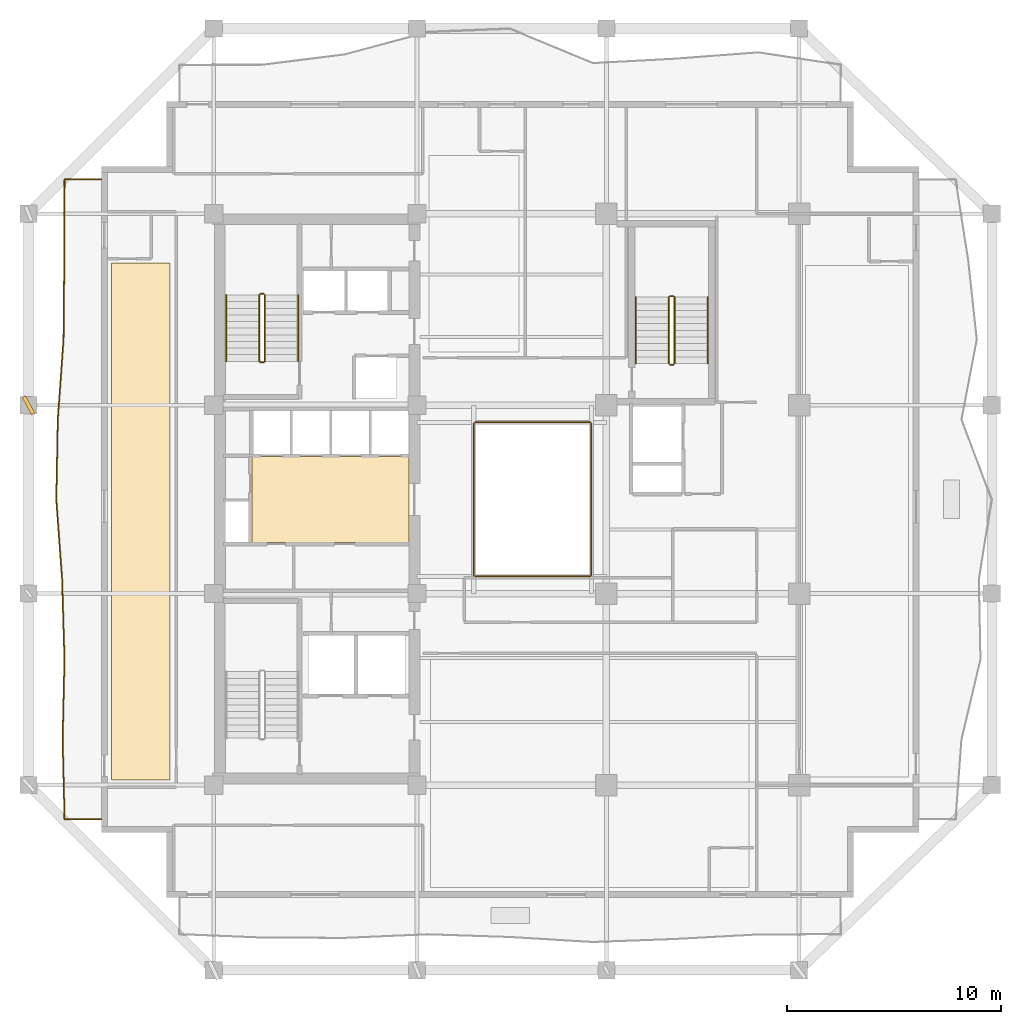
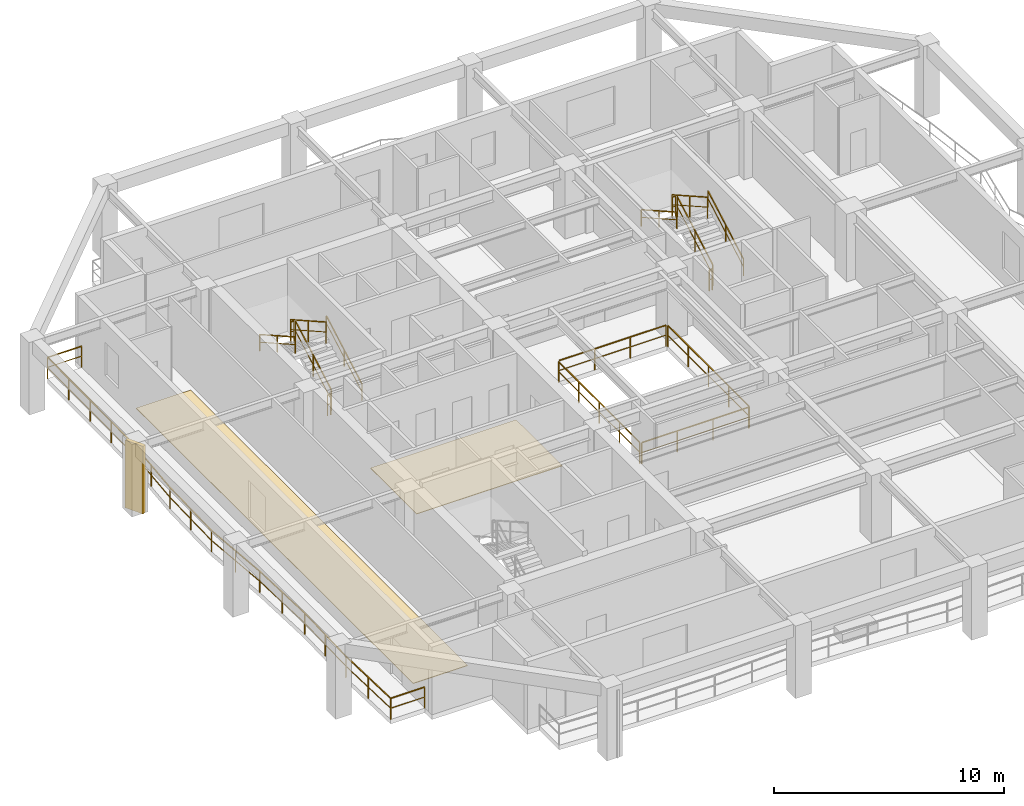
# One storey, part 8 of 10: 17 railings, 2 coverings, 1 shading device.
"""IFC4 building model written with IfcOpenShell, lengths in metres."""

import ifcopenshell
import ifcopenshell.guid

model = None  # the IFC model being written
_history = None  # IfcOwnerHistory: only IFC2X3 demands one
_inside = {}  # id of a spatial element -> (the spatial element, [elements in it])
_under = {}  # id of a project, library or spatial element -> (it, [spatial elements below it])
_declared = {}  # id of a project -> (the project, [libraries it declares])
_typed = {}  # id of a type object -> (the type object, [elements of that type])
_made_of = {}  # id of a material, layer set ... -> (it, [elements and type objects made of it])


def new_model(schema):
    """Start an empty IFC model of exactly this schema.

    Asked for "IFC4X3", IfcOpenShell would pick the latest addendum, in which some entities
    have other attributes; the version numbers below select the first issue.
    IFC2X3 requires an IfcOwnerHistory on every rooted entity: one is made here for all.
    """
    global model, _history
    if schema == "IFC4X3":
        model = ifcopenshell.file(schema_version=(4, 3, 0, 0))
    else:
        model = ifcopenshell.file(schema=schema)
    _inside.clear()
    _under.clear()
    _declared.clear()
    _typed.clear()
    _made_of.clear()
    _history = None
    if model.schema == "IFC2X3":
        org = make("IfcOrganization", Name="unknown")
        user = make(
            "IfcPersonAndOrganization",
            ThePerson=make("IfcPerson", FamilyName="unknown"),
            TheOrganization=org,
        )
        app = make(
            "IfcApplication",
            ApplicationDeveloper=org,
            Version="unknown",
            ApplicationFullName="unknown",
            ApplicationIdentifier="unknown",
        )
        _history = make(
            "IfcOwnerHistory",
            OwningUser=user,
            OwningApplication=app,
            ChangeAction="ADDED",
            CreationDate=0,
        )
    return model


def make(cls, **values):
    """One entity of the class cls with the attributes given. An attribute that is None is left unset."""
    return model.create_entity(
        cls, **{name: value for name, value in values.items() if value is not None}
    )


def rooted(cls, **values):
    """An entity with a GlobalId (a new one), such as an element, a storey or a relation."""
    return make(cls, GlobalId=ifcopenshell.guid.new(), OwnerHistory=_history, **values)


def si_unit(unit_type, name, prefix=None):
    """IfcSIUnit, for example si_unit("LENGTHUNIT", "METRE", prefix="MILLI")."""
    return make("IfcSIUnit", UnitType=unit_type, Prefix=prefix, Name=name)


def assignment(units):
    """IfcUnitAssignment: the units of a project."""
    return None if units is None else make("IfcUnitAssignment", Units=units)


def point(xyz):
    """IfcCartesianPoint."""
    return None if xyz is None else make("IfcCartesianPoint", Coordinates=xyz)


def direction(xyz):
    """IfcDirection."""
    return None if xyz is None else make("IfcDirection", DirectionRatios=xyz)


def frame(location, z_axis=None, x_axis=None):
    """IfcAxis2Placement3D, a coordinate frame: its origin and axes. An axis left out is left unset."""
    return make(
        "IfcAxis2Placement3D",
        Location=point(location),
        Axis=direction(z_axis),
        RefDirection=direction(x_axis),
    )


def frame_2d(location, x_axis=None):
    """IfcAxis2Placement2D, a coordinate frame in the plane: its origin and x axis."""
    return make(
        "IfcAxis2Placement2D", Location=point(location), RefDirection=direction(x_axis)
    )


def origin():
    """The frame at (0, 0, 0) with its axes left unset."""
    return frame((0.0, 0.0, 0.0))


def origin_2d():
    """The frame at (0, 0) in the plane with its x axis left unset."""
    return frame_2d((0.0, 0.0))


def place(relative_to, where):
    """IfcLocalPlacement: puts the frame where relative to a parent placement (None: the world)."""
    return make(
        "IfcLocalPlacement", PlacementRelTo=relative_to, RelativePlacement=where
    )


def context(
    kind, dimensions, precision=None, world=None, true_north=None, identifier=None
):
    """IfcGeometricRepresentationContext, for example the 3D "Model" context."""
    return make(
        "IfcGeometricRepresentationContext",
        ContextIdentifier=identifier,
        ContextType=kind,
        CoordinateSpaceDimension=dimensions,
        Precision=precision,
        WorldCoordinateSystem=world,
        TrueNorth=true_north,
    )


def subcontext(parent, identifier, kind, view, scale=None):
    """IfcGeometricRepresentationSubContext, for example "Body" below "Model"."""
    return make(
        "IfcGeometricRepresentationSubContext",
        ContextIdentifier=identifier,
        ContextType=kind,
        ParentContext=parent,
        TargetScale=scale,
        TargetView=view,
    )


def project(units=None, contexts=None):
    """IfcProject with its units and contexts."""
    return rooted(
        "IfcProject",
        Name="project",
        RepresentationContexts=contexts,
        UnitsInContext=assignment(units),
    )


def spatial(cls, under=None, at=None, **own):
    """A site, building, storey or space (cls), placed at a placement, below another one or the project."""
    s = rooted(cls, ObjectPlacement=at, **own)
    if under is not None:
        _under.setdefault(under.id(), (under, []))[1].append(s)
    return s


def polyline(points):
    """IfcPolyline through the points."""
    return make("IfcPolyline", Points=[point(p) for p in points])


def profile(cls, at=None, kind="AREA", **sizes):
    """A parametric profile (cls). Its sizes go by their IFC names, for example OverallWidth=200.0."""
    return make(cls, ProfileType=kind, Position=at, **sizes)


def rectangle(**sizes):
    """IfcRectangleProfileDef."""
    return profile("IfcRectangleProfileDef", **sizes)


def outline(outer, holes=None, kind="AREA"):
    """IfcArbitraryClosedProfileDef: a profile drawn as a closed curve; with holes, ...WithVoids."""
    if holes is None:
        return make("IfcArbitraryClosedProfileDef", ProfileType=kind, OuterCurve=outer)
    return make(
        "IfcArbitraryProfileDefWithVoids",
        ProfileType=kind,
        OuterCurve=outer,
        InnerCurves=holes,
    )


def extrude(swept, where, along, depth):
    """IfcExtrudedAreaSolid: the profile swept, set in the frame where, extruded along a direction by depth."""
    return make(
        "IfcExtrudedAreaSolid",
        SweptArea=swept,
        Position=where,
        ExtrudedDirection=direction(along),
        Depth=depth,
    )


def shape(context_of_items, identifier, shape_type, items):
    """IfcShapeRepresentation: the items that make up one representation, for example the "Body"."""
    return make(
        "IfcShapeRepresentation",
        ContextOfItems=context_of_items,
        RepresentationIdentifier=identifier,
        RepresentationType=shape_type,
        Items=items,
    )


def material(Name=None, Category=None):
    """IfcMaterial."""
    return make("IfcMaterial", Name=Name, Category=Category)


def layer(
    of_material, thickness, ventilated=None, Name=None, Category=None, Priority=None
):
    """IfcMaterialLayer: one layer of a wall or slab, of a material (None: an air gap)."""
    return make(
        "IfcMaterialLayer",
        Material=of_material,
        LayerThickness=thickness,
        IsVentilated=ventilated,
        Name=Name,
        Category=Category,
        Priority=Priority,
    )


def layer_set(layers, Name=None):
    """IfcMaterialLayerSet."""
    return make("IfcMaterialLayerSet", MaterialLayers=layers, LayerSetName=Name)


def made_of(thing, what):
    """Note that an element or type object is made of a material, layer set ...; save() writes the relation."""
    if what is not None:
        _made_of.setdefault(what.id(), (what, []))[1].append(thing)
    return thing


def type_object(cls, material=None, **own):
    """A type object (cls), such as IfcWallType, which elements share."""
    return made_of(rooted(cls, **own), material)


def element(
    cls,
    number,
    at=None,
    inside=None,
    cuts=None,
    type_object=None,
    material=None,
    context=None,
    identifier="Body",
    shape_type=None,
    held_by="IfcProductDefinitionShape",
    body=None,
    shapes=None,
    **own,
):
    """One element of the class cls, such as IfcWall. Its Tag is "e" and its number.

    at: its placement. inside: the storey or other place that contains it. cuts: it is an
    opening in that element (IfcRelVoidsElement). A single representation is given by context,
    identifier, shape_type and body (its items); several are given by shapes. held_by: the class
    of the entity that holds the representations. save() writes the other relations.
    """
    e = rooted(cls, Tag="e%d" % number, ObjectPlacement=at, **own)
    if body is not None:
        shapes = [shape(context, identifier, shape_type, body)]
    if shapes is not None:
        e.Representation = make(held_by, Representations=shapes)
    if inside is not None:
        _inside.setdefault(inside.id(), (inside, []))[1].append(e)
    if cuts is not None:
        rooted(
            "IfcRelVoidsElement", RelatingBuildingElement=cuts, RelatedOpeningElement=e
        )
    if type_object is not None:
        _typed.setdefault(type_object.id(), (type_object, []))[1].append(e)
    return made_of(e, material)


def aggregate(whole, parts):
    """IfcRelAggregates: a whole, such as a stair, and the parts it consists of."""
    return rooted("IfcRelAggregates", RelatingObject=whole, RelatedObjects=parts)


def save(model, path):
    """Write the relations noted so far, then the file.

    IfcRelAggregates (storeys below a building ...), IfcRelContainedInSpatialStructure (elements
    in a storey), IfcRelDefinesByType, IfcRelAssociatesMaterial and IfcRelDeclares: one each for
    every whole, place, type object, material and project.
    """
    for whole, parts in _under.values():
        aggregate(whole, parts)
    for where, things in _inside.values():
        rooted(
            "IfcRelContainedInSpatialStructure",
            RelatedElements=things,
            RelatingStructure=where,
        )
    for kind, things in _typed.values():
        rooted("IfcRelDefinesByType", RelatedObjects=things, RelatingType=kind)
    for what, things in _made_of.values():
        rooted("IfcRelAssociatesMaterial", RelatedObjects=things, RelatingMaterial=what)
    for by, libraries in _declared.values():
        rooted("IfcRelDeclares", RelatingContext=by, RelatedDefinitions=libraries)
    model.write(path)


model = new_model("IFC4")

# Units and contexts
model_context = context("Model", 3, precision=1e-05, world=origin(), true_north=direction((0.0, 1.0)))
body_context = subcontext(model_context, "Body", "Model", "MODEL_VIEW")
ifc_project = project(units=[si_unit("LENGTHUNIT", "METRE"), si_unit("AREAUNIT", "SQUARE_METRE"), si_unit("VOLUMEUNIT", "CUBIC_METRE"), si_unit("PLANEANGLEUNIT", "RADIAN"), si_unit("MASSUNIT", "GRAM", prefix="KILO")], contexts=[model_context])

# Site, building, storey
site_placement = place(None, origin())
site = spatial("IfcSite", under=ifc_project, at=site_placement, CompositionType="ELEMENT")
building_placement = place(site_placement, origin())
building = spatial("IfcBuilding", under=site, at=building_placement, Name="Kundavana Baori Tower", CompositionType="ELEMENT")
storey_placement = place(building_placement, frame((0.0, 0.0, 111.699951171875)))
storey = spatial("IfcBuildingStorey", under=building, at=storey_placement, Name="L26", CompositionType="ELEMENT", Elevation=111.699951171875)

# Coverings
ifc_material_1 = material(Name="Honed Kota Stone and Terrazzo Flooring", Category="masonry")
ifc_layer = layer(ifc_material_1, 0.030029296875, Name="COV-INT-FLR")
ifc_layer_set = layer_set([ifc_layer], Name="Honed Kota Stone and Terrazzo Flooring")
covering_type = type_object("IfcCoveringType", Name="COV-INT-FLR", PredefinedType="FLOORING", material=ifc_layer_set)
covering_1_placement = place(storey_placement, origin())
element("IfcCovering", 1, at=covering_1_placement, inside=storey, type_object=covering_type, Name="L26 Room Finished Stone Flooring 1", PredefinedType="FLOORING", context=body_context, shape_type="SweptSolid", body=[
    extrude(outline(polyline([(10.679931640625, 15.5), (13.419921875, 15.5), (13.419921875, 39.64990234375), (10.679931640625, 39.64990234375), (10.679931640625, 15.5)])), origin(), (0.0, 0.0, 1.0), 0.030029296875),
])
covering_2_placement = place(storey_placement, origin())
element("IfcCovering", 2, at=covering_2_placement, inside=storey, type_object=covering_type, Name="L26 Core Lift Lobby Kota Stone Flooring", PredefinedType="FLOORING", context=body_context, shape_type="SweptSolid", body=[
    extrude(outline(polyline([(17.25, 26.580078125), (24.580078125, 26.580078125), (24.580078125, 30.60009765625), (17.25, 30.60009765625), (17.25, 26.580078125)])), origin(), (0.0, 0.0, 1.0), 0.030029296875),
])

# Railings
ifc_material_2 = material(Name="Architectural Patinated Bronze Metalwork")
railing_type_1 = type_object("IfcRailingType", Name="RL-BAL-1150", PredefinedType="BALUSTRADE", material=ifc_material_2)
railing_1_placement = place(storey_placement, frame((10.199951171875, 13.64990234375, 0.0)))
element("IfcRailing", 3, at=railing_1_placement, inside=storey, type_object=railing_type_1, Name="L26 Loggia Balcony Balustrade W", PredefinedType="BALUSTRADE", context=body_context, shape_type="SweptSolid", body=[
    extrude(rectangle(XDim=0.048095703125, YDim=0.048095703125, at=origin_2d()), frame((0.0, 0.0, 1.1259765625), z_axis=(-1.0, 0.0, 0.0), x_axis=(0.0, -1.0, 0.0)), (0.0, 0.0, 1.0), 1.719970703125),
    extrude(rectangle(XDim=0.03125, YDim=0.03125, at=origin_2d()), frame((0.0, 0.0, 0.597900390625), z_axis=(-1.0, 0.0, 0.0), x_axis=(0.0, -1.0, 0.0)), (0.0, 0.0, 1.0), 1.719970703125),
    extrude(rectangle(XDim=0.048095703125, YDim=0.048095703125, at=origin_2d()), frame((-1.719970703125, 0.0, 1.1259765625), z_axis=(-0.024360704663, 0.999703233999, 0.0), x_axis=(-0.999703233999, -0.024360704663, 0.0)), (0.0, 0.0, 1.0), 3.73828125),
    extrude(rectangle(XDim=0.03125, YDim=0.03125, at=origin_2d()), frame((-1.719970703125, 0.0, 0.597900390625), z_axis=(-0.024360704663, 0.999703233999, 0.0), x_axis=(-0.999703233999, -0.024360704663, 0.0)), (0.0, 0.0, 1.0), 3.73828125),
    extrude(rectangle(XDim=0.048095703125, YDim=0.048095703125, at=origin_2d()), frame((-1.81103515625, 3.737060546875, 1.1259765625), z_axis=(0.022788150377, 0.999740316383, 0.0), x_axis=(-0.999740316383, 0.022788150377, 0.0)), (0.0, 0.0, 1.0), 3.739013671875),
    extrude(rectangle(XDim=0.03125, YDim=0.03125, at=origin_2d()), frame((-1.81103515625, 3.737060546875, 0.597900390625), z_axis=(0.022788150377, 0.999740316383, 0.0), x_axis=(-0.999740316383, 0.022788150377, 0.0)), (0.0, 0.0, 1.0), 3.739013671875),
    extrude(rectangle(XDim=0.048095703125, YDim=0.048095703125, at=origin_2d()), frame((-1.725830078125, 7.47509765625, 1.1259765625), z_axis=(-0.029189882173, 0.999573884602, 0.0), x_axis=(-0.999573884602, -0.029189882173, 0.0)), (0.0, 0.0, 1.0), 3.73876953125),
    extrude(rectangle(XDim=0.03125, YDim=0.03125, at=origin_2d()), frame((-1.725830078125, 7.47509765625, 0.597900390625), z_axis=(-0.029189882173, 0.999573884602, 0.0), x_axis=(-0.999573884602, -0.029189882173, 0.0)), (0.0, 0.0, 1.0), 3.73876953125),
    extrude(rectangle(XDim=0.048095703125, YDim=0.048095703125, at=origin_2d()), frame((-1.8349609375, 11.212158203125, 1.1259765625), z_axis=(-0.072825509213, 0.997344697288, 0.0), x_axis=(-0.997344697288, -0.072825509213, 0.0)), (0.0, 0.0, 1.0), 3.748046875),
    extrude(rectangle(XDim=0.03125, YDim=0.03125, at=origin_2d()), frame((-1.8349609375, 11.212158203125, 0.597900390625), z_axis=(-0.072825509213, 0.997344697288, 0.0), x_axis=(-0.997344697288, -0.072825509213, 0.0)), (0.0, 0.0, 1.0), 3.748046875),
    extrude(rectangle(XDim=0.048095703125, YDim=0.048095703125, at=origin_2d()), frame((-2.10791015625, 14.9501953125, 1.1259765625), z_axis=(0.018747521213, 0.99982424978, 0.0), x_axis=(-0.99982424978, 0.018747521213, 0.0)), (0.0, 0.0, 1.0), 3.737548828125),
    extrude(rectangle(XDim=0.03125, YDim=0.03125, at=origin_2d()), frame((-2.10791015625, 14.9501953125, 0.597900390625), z_axis=(0.018747521213, 0.99982424978, 0.0), x_axis=(-0.99982424978, 0.018747521213, 0.0)), (0.0, 0.0, 1.0), 3.737548828125),
    extrude(rectangle(XDim=0.048095703125, YDim=0.048095703125, at=origin_2d()), frame((-2.037841796875, 18.68701171875, 1.1259765625), z_axis=(0.071723884966, 0.997424525629, 0.0), x_axis=(-0.997424525629, 0.071723884966, 0.0)), (0.0, 0.0, 1.0), 3.747802734375),
    extrude(rectangle(XDim=0.03125, YDim=0.03125, at=origin_2d()), frame((-2.037841796875, 18.68701171875, 0.597900390625), z_axis=(0.071723884966, 0.997424525629, 0.0), x_axis=(-0.997424525629, 0.071723884966, 0.0)), (0.0, 0.0, 1.0), 3.747802734375),
    extrude(rectangle(XDim=0.048095703125, YDim=0.048095703125, at=origin_2d()), frame((-1.76904296875, 22.425048828125, 1.1259765625), z_axis=(0.009407044385, 0.999955752779, 0.0), x_axis=(-0.999955752779, 0.009407044385, 0.0)), (0.0, 0.0, 1.0), 3.7373046875),
    extrude(rectangle(XDim=0.03125, YDim=0.03125, at=origin_2d()), frame((-1.76904296875, 22.425048828125, 0.597900390625), z_axis=(0.009407044385, 0.999955752779, 0.0), x_axis=(-0.999955752779, 0.009407044385, 0.0)), (0.0, 0.0, 1.0), 3.7373046875),
    extrude(rectangle(XDim=0.048095703125, YDim=0.048095703125, at=origin_2d()), frame((-1.73388671875, 26.162109375, 1.1259765625), z_axis=(0.003722787866, 0.999993070401, 0.0), x_axis=(-0.999993070401, 0.003722787866, 0.0)), (0.0, 0.0, 1.0), 3.738037109375),
    extrude(rectangle(XDim=0.03125, YDim=0.03125, at=origin_2d()), frame((-1.73388671875, 26.162109375, 0.597900390625), z_axis=(0.003722787866, 0.999993070401, 0.0), x_axis=(-0.999993070401, 0.003722787866, 0.0)), (0.0, 0.0, 1.0), 3.738037109375),
    extrude(rectangle(XDim=0.048095703125, YDim=0.048095703125, at=origin_2d()), frame((-1.719970703125, 29.900146484375, 1.1259765625), z_axis=(1.0, 0.0, 0.0), x_axis=(0.0, 1.0, 0.0)), (0.0, 0.0, 1.0), 1.719970703125),
    extrude(rectangle(XDim=0.03125, YDim=0.03125, at=origin_2d()), frame((-1.719970703125, 29.900146484375, 0.597900390625), z_axis=(1.0, 0.0, 0.0), x_axis=(0.0, 1.0, 0.0)), (0.0, 0.0, 1.0), 1.719970703125),
    extrude(rectangle(XDim=0.0419921875, YDim=0.0419921875, at=origin_2d()), origin(), (0.0, 0.0, 1.0), 1.101806640625),
    extrude(rectangle(XDim=0.0419921875, YDim=0.0419921875, at=origin_2d()), frame((-1.719970703125, 0.0, 0.0)), (0.0, 0.0, 1.0), 1.101806640625),
    extrude(rectangle(XDim=0.0419921875, YDim=0.0419921875, at=origin_2d()), frame((-1.765625, 1.86865234375, 0.0)), (0.0, 0.0, 1.0), 1.101806640625),
    extrude(rectangle(XDim=0.0419921875, YDim=0.0419921875, at=origin_2d()), frame((-1.81103515625, 3.737060546875, 0.0)), (0.0, 0.0, 1.0), 1.101806640625),
    extrude(rectangle(XDim=0.0419921875, YDim=0.0419921875, at=origin_2d()), frame((-1.7685546875, 5.60595703125, 0.0)), (0.0, 0.0, 1.0), 1.101806640625),
    extrude(rectangle(XDim=0.0419921875, YDim=0.0419921875, at=origin_2d()), frame((-1.725830078125, 7.47509765625, 0.0)), (0.0, 0.0, 1.0), 1.101806640625),
    extrude(rectangle(XDim=0.0419921875, YDim=0.0419921875, at=origin_2d()), frame((-1.7802734375, 9.34375, 0.0)), (0.0, 0.0, 1.0), 1.101806640625),
    extrude(rectangle(XDim=0.0419921875, YDim=0.0419921875, at=origin_2d()), frame((-1.8349609375, 11.212158203125, 0.0)), (0.0, 0.0, 1.0), 1.101806640625),
    extrude(rectangle(XDim=0.0419921875, YDim=0.0419921875, at=origin_2d()), frame((-1.971435546875, 13.0810546875, 0.0)), (0.0, 0.0, 1.0), 1.101806640625),
    extrude(rectangle(XDim=0.0419921875, YDim=0.0419921875, at=origin_2d()), frame((-2.10791015625, 14.9501953125, 0.0)), (0.0, 0.0, 1.0), 1.101806640625),
    extrude(rectangle(XDim=0.0419921875, YDim=0.0419921875, at=origin_2d()), frame((-2.07275390625, 16.818603515625, 0.0)), (0.0, 0.0, 1.0), 1.101806640625),
    extrude(rectangle(XDim=0.0419921875, YDim=0.0419921875, at=origin_2d()), frame((-2.037841796875, 18.68701171875, 0.0)), (0.0, 0.0, 1.0), 1.101806640625),
    extrude(rectangle(XDim=0.0419921875, YDim=0.0419921875, at=origin_2d()), frame((-1.9033203125, 20.55615234375, 0.0)), (0.0, 0.0, 1.0), 1.101806640625),
    extrude(rectangle(XDim=0.0419921875, YDim=0.0419921875, at=origin_2d()), frame((-1.76904296875, 22.425048828125, 0.0)), (0.0, 0.0, 1.0), 1.101806640625),
    extrude(rectangle(XDim=0.0419921875, YDim=0.0419921875, at=origin_2d()), frame((-1.75146484375, 24.29345703125, 0.0)), (0.0, 0.0, 1.0), 1.101806640625),
    extrude(rectangle(XDim=0.0419921875, YDim=0.0419921875, at=origin_2d()), frame((-1.73388671875, 26.162109375, 0.0)), (0.0, 0.0, 1.0), 1.101806640625),
    extrude(rectangle(XDim=0.0419921875, YDim=0.0419921875, at=origin_2d()), frame((-1.72705078125, 28.03125, 0.0)), (0.0, 0.0, 1.0), 1.101806640625),
    extrude(rectangle(XDim=0.0419921875, YDim=0.0419921875, at=origin_2d()), frame((-1.719970703125, 29.900146484375, 0.0)), (0.0, 0.0, 1.0), 1.101806640625),
    extrude(rectangle(XDim=0.0419921875, YDim=0.0419921875, at=origin_2d()), frame((0.0, 29.900146484375, 0.0)), (0.0, 0.0, 1.0), 1.101806640625),
])
ifc_material_3 = material(Name="Architectural Patinated Bronze Metalwork")
railing_type_2 = type_object("IfcRailingType", Name="RL-GRD-1150", PredefinedType="GUARDRAIL", material=ifc_material_3)
railing_2_placement = place(storey_placement, frame((17.840087890625, 35.050048828125, 0.175048828125)))
element("IfcRailing", 4, at=railing_2_placement, inside=storey, type_object=railing_type_2, Name="L26 ST2 stair guard 1", PredefinedType="GUARDRAIL", context=body_context, shape_type="SweptSolid", body=[
    extrude(rectangle(XDim=0.048095703125, YDim=0.048095703125, at=origin_2d()), frame((0.0, 0.0, 1.1259765625), z_axis=(0.0, 0.870814364268, 0.491611984175), x_axis=(-1.0, 0.0, 0.0)), (0.0, 0.0, 1.0), 3.559814453125),
    extrude(rectangle(XDim=0.03125, YDim=0.03125, at=origin_2d()), frame((0.0, 0.0, 0.597900390625), z_axis=(0.0, 0.870814364268, 0.491611984175), x_axis=(-1.0, 0.0, 0.0)), (0.0, 0.0, 1.0), 3.559814453125),
    extrude(rectangle(XDim=0.0419921875, YDim=0.0419921875, at=origin_2d()), origin(), (0.0, 0.0, 1.0), 1.101806640625),
    extrude(rectangle(XDim=0.0419921875, YDim=0.0419921875, at=origin_2d()), frame((0.0, 1.5498046875, 0.875)), (0.0, 0.0, 1.0), 1.101806640625),
    extrude(rectangle(XDim=0.0419921875, YDim=0.0419921875, at=origin_2d()), frame((0.0, 3.099853515625, 1.75)), (0.0, 0.0, 1.0), 1.101806640625),
])
railing_3_placement = place(storey_placement, frame((17.7900390625, 38.199951171875, 1.925048828125)))
element("IfcRailing", 5, at=railing_3_placement, inside=storey, type_object=railing_type_2, Name="L26 ST2 stair guard 2", PredefinedType="GUARDRAIL", context=body_context, shape_type="SweptSolid", body=[
    extrude(rectangle(XDim=0.048095703125, YDim=0.048095703125, at=origin_2d()), frame((0.0, 0.0, 1.1259765625), z_axis=(-1.0, 0.0, 0.0), x_axis=(0.0, -1.0, 0.0)), (0.0, 0.0, 1.0), 0.16015625),
    extrude(rectangle(XDim=0.03125, YDim=0.03125, at=origin_2d()), frame((0.0, 0.0, 0.597900390625), z_axis=(-1.0, 0.0, 0.0), x_axis=(0.0, -1.0, 0.0)), (0.0, 0.0, 1.0), 0.16015625),
    extrude(rectangle(XDim=0.0419921875, YDim=0.0419921875, at=origin_2d()), origin(), (0.0, 0.0, 1.0), 1.101806640625),
    extrude(rectangle(XDim=0.0419921875, YDim=0.0419921875, at=origin_2d()), frame((-0.16015625, 0.0, 0.0)), (0.0, 0.0, 1.0), 1.101806640625),
])
railing_4_placement = place(storey_placement, frame((17.580078125, 38.14990234375, 2.10009765625)))
element("IfcRailing", 6, at=railing_4_placement, inside=storey, type_object=railing_type_2, Name="L26 ST2 stair guard 3", PredefinedType="GUARDRAIL", context=body_context, shape_type="SweptSolid", body=[
    extrude(rectangle(XDim=0.048095703125, YDim=0.048095703125, at=origin_2d()), frame((0.0, 0.0, 1.1259765625), z_axis=(0.0, -0.870814364268, 0.491611984175), x_axis=(1.0, 0.0, 0.0)), (0.0, 0.0, 1.0), 3.559814453125),
    extrude(rectangle(XDim=0.03125, YDim=0.03125, at=origin_2d()), frame((0.0, 0.0, 0.597900390625), z_axis=(0.0, -0.870814364268, 0.491611984175), x_axis=(1.0, 0.0, 0.0)), (0.0, 0.0, 1.0), 3.559814453125),
    extrude(rectangle(XDim=0.0419921875, YDim=0.0419921875, at=origin_2d()), origin(), (0.0, 0.0, 1.0), 1.101806640625),
    extrude(rectangle(XDim=0.0419921875, YDim=0.0419921875, at=origin_2d()), frame((0.0, -1.5498046875, 0.875)), (0.0, 0.0, 1.0), 1.101806640625),
    extrude(rectangle(XDim=0.0419921875, YDim=0.0419921875, at=origin_2d()), frame((0.0, -3.099853515625, 1.75)), (0.0, 0.0, 1.0), 1.101806640625),
])
railing_5_placement = place(storey_placement, frame((17.7900390625, 35.0, 0.0)))
element("IfcRailing", 7, at=railing_5_placement, inside=storey, type_object=railing_type_2, Name="L26 ST2 stair guard 4", PredefinedType="GUARDRAIL", context=body_context, shape_type="SweptSolid", body=[
    extrude(rectangle(XDim=0.048095703125, YDim=0.048095703125, at=origin_2d()), frame((0.0, 0.0, 1.1259765625), z_axis=(-1.0, 0.0, 0.0), x_axis=(0.0, -1.0, 0.0)), (0.0, 0.0, 1.0), 0.16015625),
    extrude(rectangle(XDim=0.03125, YDim=0.03125, at=origin_2d()), frame((0.0, 0.0, 0.597900390625), z_axis=(-1.0, 0.0, 0.0), x_axis=(0.0, -1.0, 0.0)), (0.0, 0.0, 1.0), 0.16015625),
    extrude(rectangle(XDim=0.0419921875, YDim=0.0419921875, at=origin_2d()), origin(), (0.0, 0.0, 1.0), 1.101806640625),
    extrude(rectangle(XDim=0.0419921875, YDim=0.0419921875, at=origin_2d()), frame((-0.16015625, 0.0, 0.0)), (0.0, 0.0, 1.0), 1.101806640625),
])
railing_6_placement = place(storey_placement, frame((36.97998046875, 34.949951171875, 0.175048828125)))
element("IfcRailing", 8, at=railing_6_placement, inside=storey, type_object=railing_type_2, Name="L26 ST3 stair guard 1", PredefinedType="GUARDRAIL", context=body_context, shape_type="SweptSolid", body=[
    extrude(rectangle(XDim=0.048095703125, YDim=0.048095703125, at=origin_2d()), frame((0.0, 0.0, 1.1259765625), z_axis=(0.0, 0.870830938388, 0.491582624537), x_axis=(-1.0, 0.0, 0.0)), (0.0, 0.0, 1.0), 3.559814453125),
    extrude(rectangle(XDim=0.03125, YDim=0.03125, at=origin_2d()), frame((0.0, 0.0, 0.597900390625), z_axis=(0.0, 0.870830938388, 0.491582624537), x_axis=(-1.0, 0.0, 0.0)), (0.0, 0.0, 1.0), 3.559814453125),
    extrude(rectangle(XDim=0.0419921875, YDim=0.0419921875, at=origin_2d()), origin(), (0.0, 0.0, 1.0), 1.101806640625),
    extrude(rectangle(XDim=0.0419921875, YDim=0.0419921875, at=origin_2d()), frame((0.0, 1.550048828125, 0.875)), (0.0, 0.0, 1.0), 1.101806640625),
    extrude(rectangle(XDim=0.0419921875, YDim=0.0419921875, at=origin_2d()), frame((0.0, 3.10009765625, 1.75)), (0.0, 0.0, 1.0), 1.101806640625),
])
railing_7_placement = place(storey_placement, frame((36.929931640625, 38.10009765625, 1.925048828125)))
element("IfcRailing", 9, at=railing_7_placement, inside=storey, type_object=railing_type_2, Name="L26 ST3 stair guard 2", PredefinedType="GUARDRAIL", context=body_context, shape_type="SweptSolid", body=[
    extrude(rectangle(XDim=0.048095703125, YDim=0.048095703125, at=origin_2d()), frame((0.0, 0.0, 1.1259765625), z_axis=(-1.0, 0.0, 0.0), x_axis=(0.0, -1.0, 0.0)), (0.0, 0.0, 1.0), 0.159912109375),
    extrude(rectangle(XDim=0.03125, YDim=0.03125, at=origin_2d()), frame((0.0, 0.0, 0.597900390625), z_axis=(-1.0, 0.0, 0.0), x_axis=(0.0, -1.0, 0.0)), (0.0, 0.0, 1.0), 0.159912109375),
    extrude(rectangle(XDim=0.0419921875, YDim=0.0419921875, at=origin_2d()), origin(), (0.0, 0.0, 1.0), 1.101806640625),
    extrude(rectangle(XDim=0.0419921875, YDim=0.0419921875, at=origin_2d()), frame((-0.159912109375, 0.0, 0.0)), (0.0, 0.0, 1.0), 1.101806640625),
])
railing_8_placement = place(storey_placement, frame((36.719970703125, 38.050048828125, 2.10009765625)))
element("IfcRailing", 10, at=railing_8_placement, inside=storey, type_object=railing_type_2, Name="L26 ST3 stair guard 3", PredefinedType="GUARDRAIL", context=body_context, shape_type="SweptSolid", body=[
    extrude(rectangle(XDim=0.048095703125, YDim=0.048095703125, at=origin_2d()), frame((0.0, 0.0, 1.1259765625), z_axis=(0.0, -0.870830938388, 0.491582624537), x_axis=(1.0, 0.0, 0.0)), (0.0, 0.0, 1.0), 3.559814453125),
    extrude(rectangle(XDim=0.03125, YDim=0.03125, at=origin_2d()), frame((0.0, 0.0, 0.597900390625), z_axis=(0.0, -0.870830938388, 0.491582624537), x_axis=(1.0, 0.0, 0.0)), (0.0, 0.0, 1.0), 3.559814453125),
    extrude(rectangle(XDim=0.0419921875, YDim=0.0419921875, at=origin_2d()), origin(), (0.0, 0.0, 1.0), 1.101806640625),
    extrude(rectangle(XDim=0.0419921875, YDim=0.0419921875, at=origin_2d()), frame((0.0, -1.550048828125, 0.875)), (0.0, 0.0, 1.0), 1.101806640625),
    extrude(rectangle(XDim=0.0419921875, YDim=0.0419921875, at=origin_2d()), frame((0.0, -3.10009765625, 1.75)), (0.0, 0.0, 1.0), 1.101806640625),
])
railing_9_placement = place(storey_placement, frame((36.929931640625, 34.89990234375, 0.0)))
element("IfcRailing", 11, at=railing_9_placement, inside=storey, type_object=railing_type_2, Name="L26 ST3 stair guard 4", PredefinedType="GUARDRAIL", context=body_context, shape_type="SweptSolid", body=[
    extrude(rectangle(XDim=0.048095703125, YDim=0.048095703125, at=origin_2d()), frame((0.0, 0.0, 1.1259765625), z_axis=(-1.0, 0.0, 0.0), x_axis=(0.0, -1.0, 0.0)), (0.0, 0.0, 1.0), 0.159912109375),
    extrude(rectangle(XDim=0.03125, YDim=0.03125, at=origin_2d()), frame((0.0, 0.0, 0.597900390625), z_axis=(-1.0, 0.0, 0.0), x_axis=(0.0, -1.0, 0.0)), (0.0, 0.0, 1.0), 0.159912109375),
    extrude(rectangle(XDim=0.0419921875, YDim=0.0419921875, at=origin_2d()), origin(), (0.0, 0.0, 1.0), 1.101806640625),
    extrude(rectangle(XDim=0.0419921875, YDim=0.0419921875, at=origin_2d()), frame((-0.159912109375, 0.0, 0.0)), (0.0, 0.0, 1.0), 1.101806640625),
])
railing_10_placement = place(storey_placement, frame((27.659912109375, 25.0, 0.0)))
element("IfcRailing", 12, at=railing_10_placement, inside=storey, type_object=railing_type_2, Name="L26 Atrium Void Perimeter Guardrail S", PredefinedType="GUARDRAIL", context=body_context, shape_type="SweptSolid", body=[
    extrude(rectangle(XDim=0.048095703125, YDim=0.048095703125, at=origin_2d()), frame((0.0, 0.0, 1.1259765625), z_axis=(1.0, 0.0, 0.0), x_axis=(0.0, 1.0, 0.0)), (0.0, 0.0, 1.0), 5.380126953125),
    extrude(rectangle(XDim=0.03125, YDim=0.03125, at=origin_2d()), frame((0.0, 0.0, 0.597900390625), z_axis=(1.0, 0.0, 0.0), x_axis=(0.0, 1.0, 0.0)), (0.0, 0.0, 1.0), 5.380126953125),
    extrude(rectangle(XDim=0.0419921875, YDim=0.0419921875, at=origin_2d()), origin(), (0.0, 0.0, 1.0), 1.101806640625),
    extrude(rectangle(XDim=0.0419921875, YDim=0.0419921875, at=origin_2d()), frame((1.79345703125, 0.0, 0.0)), (0.0, 0.0, 1.0), 1.101806640625),
    extrude(rectangle(XDim=0.0419921875, YDim=0.0419921875, at=origin_2d()), frame((3.586669921875, 0.0, 0.0)), (0.0, 0.0, 1.0), 1.101806640625),
    extrude(rectangle(XDim=0.0419921875, YDim=0.0419921875, at=origin_2d()), frame((5.380126953125, 0.0, 0.0)), (0.0, 0.0, 1.0), 1.101806640625),
])
railing_11_placement = place(storey_placement, frame((33.10009765625, 25.06005859375, 0.0)))
element("IfcRailing", 13, at=railing_11_placement, inside=storey, type_object=railing_type_2, Name="L26 Atrium Void Perimeter Guardrail E", PredefinedType="GUARDRAIL", context=body_context, shape_type="SweptSolid", body=[
    extrude(rectangle(XDim=0.048095703125, YDim=0.048095703125, at=origin_2d()), frame((0.0, 0.0, 1.1259765625), z_axis=(0.0, 1.0, 0.0), x_axis=(-1.0, 0.0, 0.0)), (0.0, 0.0, 1.0), 7.079833984375),
    extrude(rectangle(XDim=0.03125, YDim=0.03125, at=origin_2d()), frame((0.0, 0.0, 0.597900390625), z_axis=(0.0, 1.0, 0.0), x_axis=(-1.0, 0.0, 0.0)), (0.0, 0.0, 1.0), 7.079833984375),
    extrude(rectangle(XDim=0.0419921875, YDim=0.0419921875, at=origin_2d()), origin(), (0.0, 0.0, 1.0), 1.101806640625),
    extrude(rectangle(XDim=0.0419921875, YDim=0.0419921875, at=origin_2d()), frame((0.0, 1.77001953125, 0.0)), (0.0, 0.0, 1.0), 1.101806640625),
    extrude(rectangle(XDim=0.0419921875, YDim=0.0419921875, at=origin_2d()), frame((0.0, 3.5400390625, 0.0)), (0.0, 0.0, 1.0), 1.101806640625),
    extrude(rectangle(XDim=0.0419921875, YDim=0.0419921875, at=origin_2d()), frame((0.0, 5.309814453125, 0.0)), (0.0, 0.0, 1.0), 1.101806640625),
    extrude(rectangle(XDim=0.0419921875, YDim=0.0419921875, at=origin_2d()), frame((0.0, 7.079833984375, 0.0)), (0.0, 0.0, 1.0), 1.101806640625),
])
railing_12_placement = place(storey_placement, frame((33.0400390625, 32.199951171875, 0.0)))
element("IfcRailing", 14, at=railing_12_placement, inside=storey, type_object=railing_type_2, Name="L26 Atrium Void Perimeter Guardrail N", PredefinedType="GUARDRAIL", context=body_context, shape_type="SweptSolid", body=[
    extrude(rectangle(XDim=0.048095703125, YDim=0.048095703125, at=origin_2d()), frame((0.0, 0.0, 1.1259765625), z_axis=(-1.0, 0.0, 0.0), x_axis=(0.0, -1.0, 0.0)), (0.0, 0.0, 1.0), 5.380126953125),
    extrude(rectangle(XDim=0.03125, YDim=0.03125, at=origin_2d()), frame((0.0, 0.0, 0.597900390625), z_axis=(-1.0, 0.0, 0.0), x_axis=(0.0, -1.0, 0.0)), (0.0, 0.0, 1.0), 5.380126953125),
    extrude(rectangle(XDim=0.0419921875, YDim=0.0419921875, at=origin_2d()), origin(), (0.0, 0.0, 1.0), 1.101806640625),
    extrude(rectangle(XDim=0.0419921875, YDim=0.0419921875, at=origin_2d()), frame((-1.79345703125, 0.0, 0.0)), (0.0, 0.0, 1.0), 1.101806640625),
    extrude(rectangle(XDim=0.0419921875, YDim=0.0419921875, at=origin_2d()), frame((-3.586669921875, 0.0, 0.0)), (0.0, 0.0, 1.0), 1.101806640625),
    extrude(rectangle(XDim=0.0419921875, YDim=0.0419921875, at=origin_2d()), frame((-5.380126953125, 0.0, 0.0)), (0.0, 0.0, 1.0), 1.101806640625),
])
railing_13_placement = place(storey_placement, frame((27.60009765625, 32.139892578125, 0.0)))
element("IfcRailing", 15, at=railing_13_placement, inside=storey, type_object=railing_type_2, Name="L26 Atrium Void Perimeter Guardrail W", PredefinedType="GUARDRAIL", context=body_context, shape_type="SweptSolid", body=[
    extrude(rectangle(XDim=0.048095703125, YDim=0.048095703125, at=origin_2d()), frame((0.0, 0.0, 1.1259765625), z_axis=(0.0, -1.0, 0.0), x_axis=(1.0, 0.0, 0.0)), (0.0, 0.0, 1.0), 7.079833984375),
    extrude(rectangle(XDim=0.03125, YDim=0.03125, at=origin_2d()), frame((0.0, 0.0, 0.597900390625), z_axis=(0.0, -1.0, 0.0), x_axis=(1.0, 0.0, 0.0)), (0.0, 0.0, 1.0), 7.079833984375),
    extrude(rectangle(XDim=0.0419921875, YDim=0.0419921875, at=origin_2d()), origin(), (0.0, 0.0, 1.0), 1.101806640625),
    extrude(rectangle(XDim=0.0419921875, YDim=0.0419921875, at=origin_2d()), frame((0.0, -1.77001953125, 0.0)), (0.0, 0.0, 1.0), 1.101806640625),
    extrude(rectangle(XDim=0.0419921875, YDim=0.0419921875, at=origin_2d()), frame((0.0, -3.5400390625, 0.0)), (0.0, 0.0, 1.0), 1.101806640625),
    extrude(rectangle(XDim=0.0419921875, YDim=0.0419921875, at=origin_2d()), frame((0.0, -5.309814453125, 0.0)), (0.0, 0.0, 1.0), 1.101806640625),
    extrude(rectangle(XDim=0.0419921875, YDim=0.0419921875, at=origin_2d()), frame((0.0, -7.079833984375, 0.0)), (0.0, 0.0, 1.0), 1.101806640625),
])
ifc_material_4 = material(Name="Architectural Patinated Bronze Metalwork")
railing_type_3 = type_object("IfcRailingType", Name="RL-HND-920", PredefinedType="HANDRAIL", material=ifc_material_4)
railing_14_placement = place(storey_placement, frame((19.389892578125, 35.050048828125, 0.175048828125)))
element("IfcRailing", 16, at=railing_14_placement, inside=storey, type_object=railing_type_3, Name="L26 ST2 stair handrail 1", PredefinedType="HANDRAIL", context=body_context, shape_type="SweptSolid", body=[
    extrude(rectangle(XDim=0.048095703125, YDim=0.048095703125, at=origin_2d()), frame((0.0, 0.0, 0.8759765625), z_axis=(0.0, 0.870814364268, 0.491611984175), x_axis=(-1.0, 0.0, 0.0)), (0.0, 0.0, 1.0), 3.559814453125),
    extrude(rectangle(XDim=0.03125, YDim=0.03125, at=origin_2d()), frame((0.0, 0.0, 0.468017578125), z_axis=(0.0, 0.870814364268, 0.491611984175), x_axis=(-1.0, 0.0, 0.0)), (0.0, 0.0, 1.0), 3.559814453125),
    extrude(rectangle(XDim=0.0419921875, YDim=0.0419921875, at=origin_2d()), origin(), (0.0, 0.0, 1.0), 0.851806640625),
    extrude(rectangle(XDim=0.0419921875, YDim=0.0419921875, at=origin_2d()), frame((0.0, 1.5498046875, 0.875)), (0.0, 0.0, 1.0), 0.851806640625),
    extrude(rectangle(XDim=0.0419921875, YDim=0.0419921875, at=origin_2d()), frame((0.0, 3.099853515625, 1.75)), (0.0, 0.0, 1.0), 0.851806640625),
])
railing_15_placement = place(storey_placement, frame((16.030029296875, 38.14990234375, 2.10009765625)))
element("IfcRailing", 17, at=railing_15_placement, inside=storey, type_object=railing_type_3, Name="L26 ST2 stair handrail 2", PredefinedType="HANDRAIL", context=body_context, shape_type="SweptSolid", body=[
    extrude(rectangle(XDim=0.048095703125, YDim=0.048095703125, at=origin_2d()), frame((0.0, 0.0, 0.8759765625), z_axis=(0.0, -0.870814364268, 0.491611984175), x_axis=(1.0, 0.0, 0.0)), (0.0, 0.0, 1.0), 3.559814453125),
    extrude(rectangle(XDim=0.03125, YDim=0.03125, at=origin_2d()), frame((0.0, 0.0, 0.468017578125), z_axis=(0.0, -0.870814364268, 0.491611984175), x_axis=(1.0, 0.0, 0.0)), (0.0, 0.0, 1.0), 3.559814453125),
    extrude(rectangle(XDim=0.0419921875, YDim=0.0419921875, at=origin_2d()), origin(), (0.0, 0.0, 1.0), 0.851806640625),
    extrude(rectangle(XDim=0.0419921875, YDim=0.0419921875, at=origin_2d()), frame((0.0, -1.5498046875, 0.875)), (0.0, 0.0, 1.0), 0.851806640625),
    extrude(rectangle(XDim=0.0419921875, YDim=0.0419921875, at=origin_2d()), frame((0.0, -3.099853515625, 1.75)), (0.0, 0.0, 1.0), 0.851806640625),
])
railing_16_placement = place(storey_placement, frame((38.530029296875, 34.949951171875, 0.175048828125)))
element("IfcRailing", 18, at=railing_16_placement, inside=storey, type_object=railing_type_3, Name="L26 ST3 stair handrail 1", PredefinedType="HANDRAIL", context=body_context, shape_type="SweptSolid", body=[
    extrude(rectangle(XDim=0.048095703125, YDim=0.048095703125, at=origin_2d()), frame((0.0, 0.0, 0.8759765625), z_axis=(0.0, 0.870830938388, 0.491582624537), x_axis=(-1.0, 0.0, 0.0)), (0.0, 0.0, 1.0), 3.559814453125),
    extrude(rectangle(XDim=0.03125, YDim=0.03125, at=origin_2d()), frame((0.0, 0.0, 0.468017578125), z_axis=(0.0, 0.870830938388, 0.491582624537), x_axis=(-1.0, 0.0, 0.0)), (0.0, 0.0, 1.0), 3.559814453125),
    extrude(rectangle(XDim=0.0419921875, YDim=0.0419921875, at=origin_2d()), origin(), (0.0, 0.0, 1.0), 0.851806640625),
    extrude(rectangle(XDim=0.0419921875, YDim=0.0419921875, at=origin_2d()), frame((0.0, 1.550048828125, 0.875)), (0.0, 0.0, 1.0), 0.851806640625),
    extrude(rectangle(XDim=0.0419921875, YDim=0.0419921875, at=origin_2d()), frame((0.0, 3.10009765625, 1.75)), (0.0, 0.0, 1.0), 0.851806640625),
])
railing_17_placement = place(storey_placement, frame((35.169921875, 38.050048828125, 2.10009765625)))
element("IfcRailing", 19, at=railing_17_placement, inside=storey, type_object=railing_type_3, Name="L26 ST3 stair handrail 2", PredefinedType="HANDRAIL", context=body_context, shape_type="SweptSolid", body=[
    extrude(rectangle(XDim=0.048095703125, YDim=0.048095703125, at=origin_2d()), frame((0.0, 0.0, 0.8759765625), z_axis=(0.0, -0.870830938388, 0.491582624537), x_axis=(1.0, 0.0, 0.0)), (0.0, 0.0, 1.0), 3.559814453125),
    extrude(rectangle(XDim=0.03125, YDim=0.03125, at=origin_2d()), frame((0.0, 0.0, 0.468017578125), z_axis=(0.0, -0.870830938388, 0.491582624537), x_axis=(1.0, 0.0, 0.0)), (0.0, 0.0, 1.0), 3.559814453125),
    extrude(rectangle(XDim=0.0419921875, YDim=0.0419921875, at=origin_2d()), origin(), (0.0, 0.0, 1.0), 0.851806640625),
    extrude(rectangle(XDim=0.0419921875, YDim=0.0419921875, at=origin_2d()), frame((0.0, -1.550048828125, 0.875)), (0.0, 0.0, 1.0), 0.851806640625),
    extrude(rectangle(XDim=0.0419921875, YDim=0.0419921875, at=origin_2d()), frame((0.0, -3.10009765625, 1.75)), (0.0, 0.0, 1.0), 0.851806640625),
])

# Shading device
ifc_material_5 = material(Name="Red-Buff Dholpur Sandstone Cladding on Concrete C40/50", Category="masonry")
shading_device_type = type_object("IfcShadingDeviceType", Name="SHD-FIN-920", PredefinedType="JALOUSIE", material=ifc_material_5)
shading_device_placement = place(storey_placement, frame((6.800048828125, 33.0, 0.0), z_axis=(0.0, 0.0, 1.0), x_axis=(0.881468349704, 0.472243103147, 0.0)))
element("IfcShadingDevice", 20, at=shading_device_placement, inside=storey, type_object=shading_device_type, Name="L26 Sweeping Dholpur Sandstone Facade Fin 7", PredefinedType="JALOUSIE", context=body_context, shape_type="SweptSolid", body=[
    extrude(rectangle(XDim=0.179931640625, YDim=0.919921875, at=origin_2d()), origin(), (0.0, 0.0, 1.0), 3.60009765625),
])

save(model, "model.ifc")
